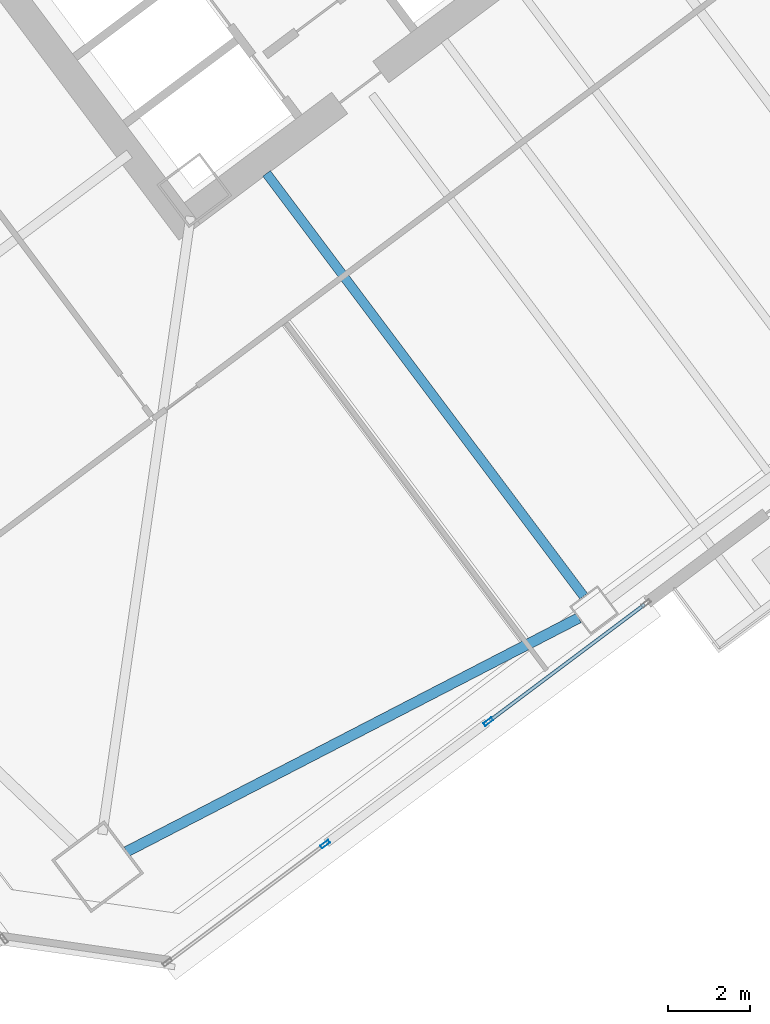
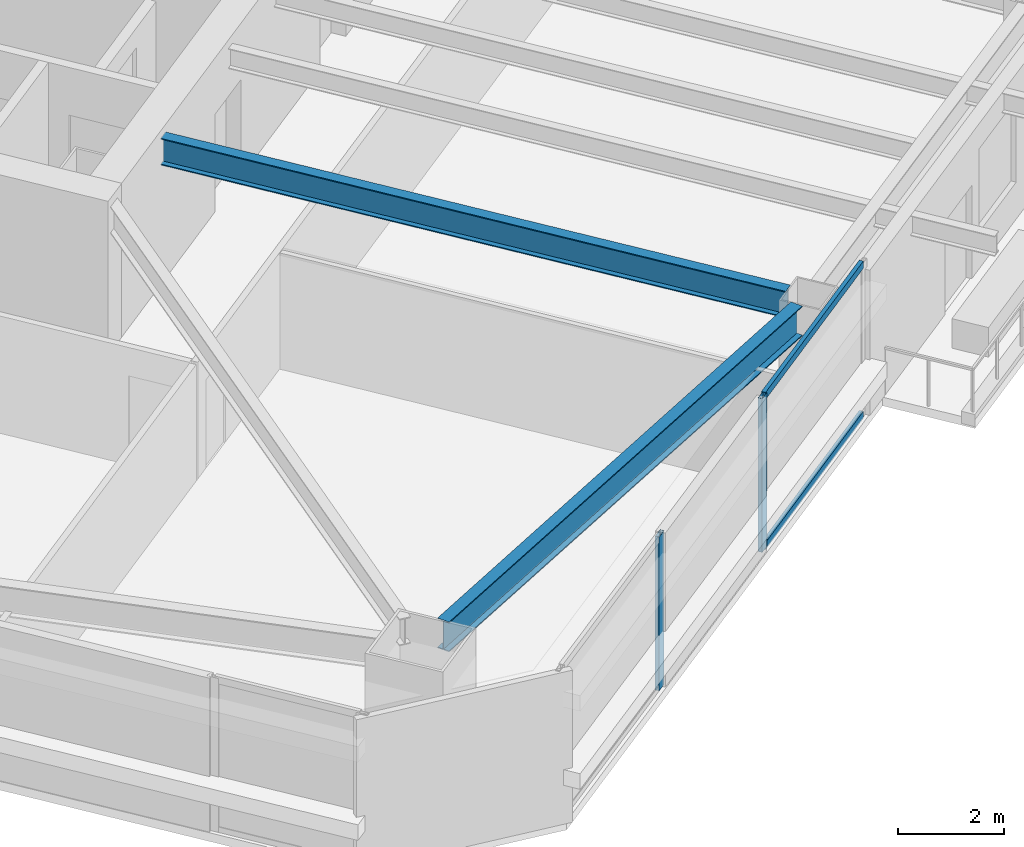
# One storey, part 25 of 51: 4 members, 2 beams, 2 elements without a shape of their own.
"""IFC4 building model written with IfcOpenShell, lengths in metres."""

from ifc_helpers import new_model, si_unit, direction, frame, origin, origin_2d, place, context, subcontext, project, spatial, hollow_rectangle, i_section, extrude, material, material_profile, profile_set, type_object, element, aggregate, save


model = new_model("IFC4")

# Units and contexts
model_context = context("Model", 3, precision=1e-05, world=origin(), true_north=direction((0.0, 1.0)))
body_context = subcontext(model_context, "Body", "Model", "MODEL_VIEW")
ifc_project = project(units=[si_unit("LENGTHUNIT", "METRE"), si_unit("AREAUNIT", "SQUARE_METRE"), si_unit("VOLUMEUNIT", "CUBIC_METRE"), si_unit("PLANEANGLEUNIT", "RADIAN"), si_unit("MASSUNIT", "GRAM", prefix="KILO")], contexts=[model_context])

# Site, building, storey
site_placement = place(None, origin())
site = spatial("IfcSite", under=ifc_project, at=site_placement, CompositionType="ELEMENT")
building_placement = place(site_placement, origin())
building = spatial("IfcBuilding", under=site, at=building_placement, Name="Tashvorn Skyway Center", CompositionType="ELEMENT")
storey_placement = place(building_placement, frame((0.0, 0.0, 49.449951171875)))
storey = spatial("IfcBuildingStorey", under=building, at=storey_placement, Name="L12", CompositionType="ELEMENT", Elevation=49.449951171875)

# Beams
ifc_material_1 = material(Name="Steel ASTM A992 Grade 50", Category="steel")
ifc_material_profile_1 = material_profile(ifc_material_1, i_section(OverallWidth=0.22998046875, OverallDepth=0.616943359375, WebThickness=0.01318359375, FlangeThickness=0.022216796875, at=origin_2d()), Name="W24X94")
ifc_profile_set_1 = profile_set([ifc_material_profile_1], Name="Steel ASTM A992 Grade 50")
beam_type_1 = type_object("IfcBeamType", Name="BM-BEAM-W24X94", PredefinedType="BEAM", material=ifc_profile_set_1)
beam_1_placement = place(storey_placement, frame((122.05810546875, 12.256103515625, 3.04150390625), z_axis=(-0.600018239213, 0.799986320265, 0.0), x_axis=(-0.799986320265, -0.600018239213, 0.0)))
element("IfcBeam", 1, at=beam_1_placement, inside=storey, type_object=beam_type_1, Name="Tower 2 L12 Primary Floor Girder FC-S1", PredefinedType="BEAM", context=body_context, shape_type="SweptSolid", body=[
    extrude(i_section(OverallWidth=0.22998046875, OverallDepth=0.616943359375, WebThickness=0.01318359375, FlangeThickness=0.022216796875, at=origin_2d()), origin(), (0.0, 0.0, 1.0), 12.849853515625),
])
ifc_material_profile_2 = material_profile(ifc_material_1, i_section(OverallWidth=0.256103515625, OverallDepth=0.693115234375, WebThickness=0.014404296875, FlangeThickness=0.023681640625, at=origin_2d()), Name="W27X114")
ifc_profile_set_2 = profile_set([ifc_material_profile_2], Name="Steel ASTM A992 Grade 50")
beam_type_2 = type_object("IfcBeamType", Name="BM-SPANDREL-W27X114", PredefinedType="SPANDREL", material=ifc_profile_set_2)
beam_2_placement = place(storey_placement, frame((110.9462890625, 6.045166015625, 3.003662109375), z_axis=(0.888315637339, 0.459233413919, 0.0), x_axis=(-0.459233413919, 0.888315637339, 0.0)))
element("IfcBeam", 2, at=beam_2_placement, inside=storey, type_object=beam_type_2, Name="Tower 2 L12 Spandrel Beam 01", PredefinedType="SPANDREL", context=body_context, shape_type="SweptSolid", body=[
    extrude(i_section(OverallWidth=0.256103515625, OverallDepth=0.693115234375, WebThickness=0.014404296875, FlangeThickness=0.023681640625, at=origin_2d()), origin(), (0.0, 0.0, 1.0), 12.37255859375),
])

# Curtain wall, member
ifc_material_2 = material(Name="Thermally broken bronze-anodized aluminium 6063-T6", Category="aluminium")
curtain_wall_type = type_object("IfcCurtainWallType", Name="CW-CW-Z1", PredefinedType="NOTDEFINED", material=ifc_material_2)
curtain_wall_1_placement = place(storey_placement, origin())
curtain_wall_1 = element("IfcCurtainWall", 3, at=curtain_wall_1_placement, inside=storey, type_object=curtain_wall_type, Name="Tower 2 L12 South Curtain Wall R Glazing Group 1", PredefinedType="NOTDEFINED")
ifc_material_profile_3 = material_profile(ifc_material_2, hollow_rectangle(XDim=0.0849609375, YDim=0.239990234375, WallThickness=0.0048828125, at=origin_2d()), Name="ALU-MULL-85x240")
ifc_profile_set_3 = profile_set([ifc_material_profile_3], Name="Thermally broken bronze-anodized aluminium 6063-T6")
member_type_1 = type_object("IfcMemberType", Name="CWM-CW-Z1", PredefinedType="MULLION", material=ifc_profile_set_3)
member_1_placement = place(storey_placement, frame((119.74072265625, 9.20556640625, 0.0), z_axis=(0.0, 0.0, 1.0), x_axis=(0.600003280937, -0.799997539287, 0.0)))
member_1 = element("IfcMember", 4, at=member_1_placement, type_object=member_type_1, Name="CW-Z1 mullion 2", PredefinedType="MULLION", context=body_context, shape_type="SweptSolid", body=[
    extrude(hollow_rectangle(XDim=0.0849609375, YDim=0.239990234375, WallThickness=0.0048828125, at=origin_2d()), origin(), (0.0, 0.0, 1.0), 3.550048828125),
])

curtain_wall_2_placement = place(storey_placement, origin())
curtain_wall_2 = element("IfcCurtainWall", 5, at=curtain_wall_2_placement, inside=storey, type_object=curtain_wall_type, Name="Tower 2 L12 South Curtain Wall R Glazing Group 2", PredefinedType="NOTDEFINED")
member_2_placement = place(storey_placement, frame((115.771240234375, 6.228515625, 0.0), z_axis=(0.0, 0.0, 1.0), x_axis=(0.600003280937, -0.799997539287, 0.0)))
member_2 = element("IfcMember", 6, at=member_2_placement, type_object=member_type_1, Name="CW-Z1 mullion 1", PredefinedType="MULLION", context=body_context, shape_type="SweptSolid", body=[
    extrude(hollow_rectangle(XDim=0.0849609375, YDim=0.239990234375, WallThickness=0.0048828125, at=origin_2d()), origin(), (0.0, 0.0, 1.0), 3.550048828125),
])
aggregate(curtain_wall_2, [member_2])

# Member
ifc_material_profile_4 = material_profile(ifc_material_2, hollow_rectangle(XDim=0.0849609375, YDim=0.1650390625, WallThickness=0.0048828125, at=origin_2d()), Name="ALU-TRAN-85x165")
ifc_profile_set_4 = profile_set([ifc_material_profile_4], Name="Thermally broken bronze-anodized aluminium 6063-T6")
member_type_2 = type_object("IfcMemberType", Name="CWT-CW-Z1", PredefinedType="USERDEFINED", material=ifc_profile_set_4)
member_3_placement = place(storey_placement, frame((123.5400390625, 12.054931640625, 0.04248046875), z_axis=(-0.800006224475, -0.59999170061, 0.0), x_axis=(0.59999170061, -0.800006224475, 0.0)))
member_3 = element("IfcMember", 7, at=member_3_placement, type_object=member_type_2, Name="CW-Z1 transom 1.1", ObjectType="TRANSOM", PredefinedType="USERDEFINED", context=body_context, shape_type="SweptSolid", body=[
    extrude(hollow_rectangle(XDim=0.0849609375, YDim=0.1650390625, WallThickness=0.0048828125, at=origin_2d()), origin(), (0.0, 0.0, 1.0), 4.706787109375),
])

member_4_placement = place(storey_placement, frame((123.5400390625, 12.054931640625, 3.507568359375), z_axis=(-0.800006224475, -0.59999170061, 0.0), x_axis=(0.59999170061, -0.800006224475, 0.0)))
member_4 = element("IfcMember", 8, at=member_4_placement, type_object=member_type_2, Name="CW-Z1 transom 1.2", ObjectType="TRANSOM", PredefinedType="USERDEFINED", context=body_context, shape_type="SweptSolid", body=[
    extrude(hollow_rectangle(XDim=0.0849609375, YDim=0.1650390625, WallThickness=0.0048828125, at=origin_2d()), origin(), (0.0, 0.0, 1.0), 4.706787109375),
])

aggregate(curtain_wall_1, [member_1, member_3, member_4])

save(model, "model.ifc")
